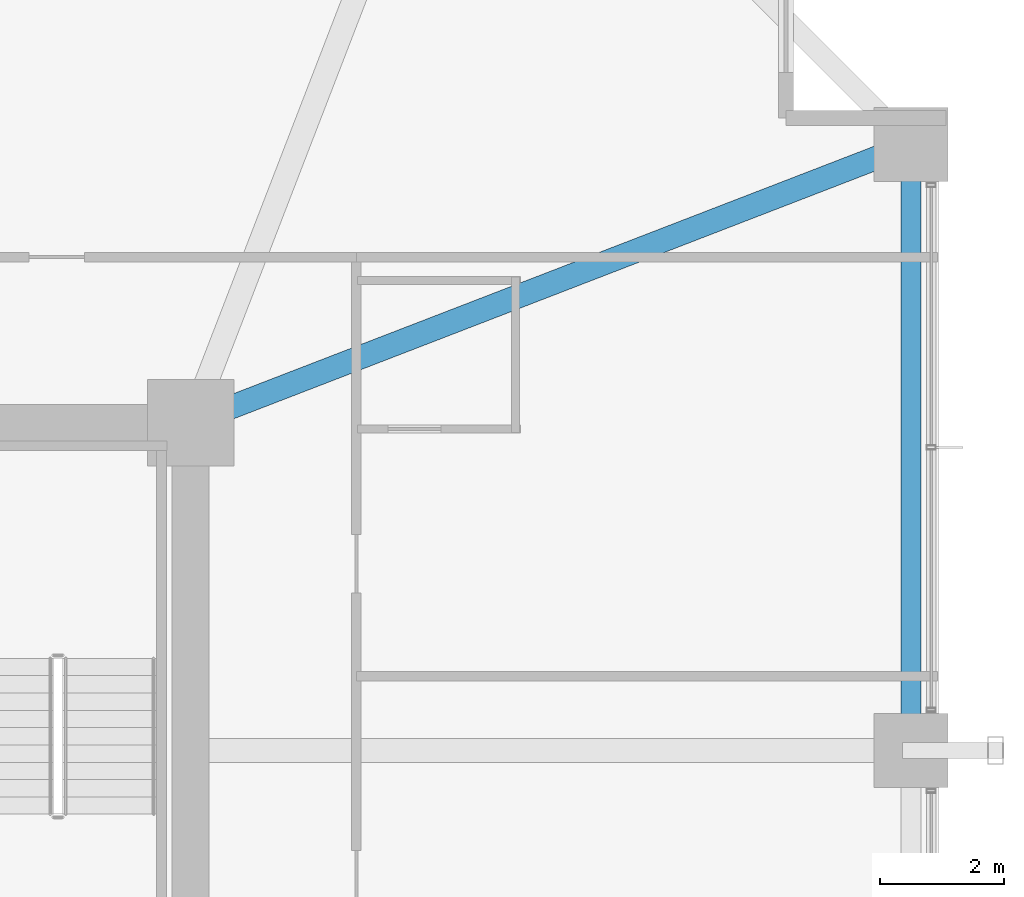
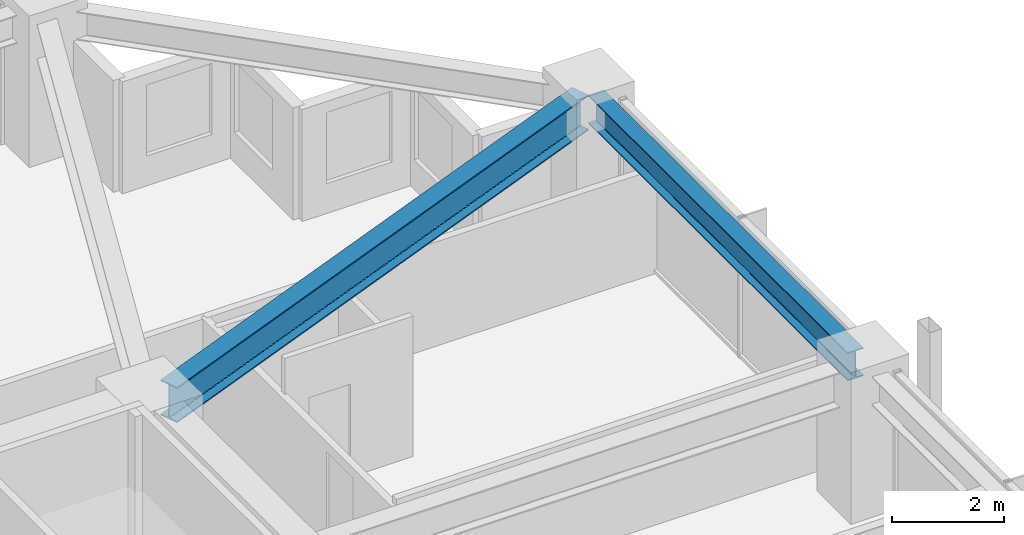
# One storey, part 22 of 38: 2 beams.
"""IFC4 building model written with IfcOpenShell, lengths in metres."""

from ifc_helpers import new_model, si_unit, direction, frame, origin, origin_2d, place, context, subcontext, project, spatial, i_section, extrude, material, material_profile, profile_set, type_object, element, save


model = new_model("IFC4")

# Units and contexts
model_context = context("Model", 3, precision=1e-05, world=origin(), true_north=direction((0.0, 1.0)))
body_context = subcontext(model_context, "Body", "Model", "MODEL_VIEW")
ifc_project = project(units=[si_unit("LENGTHUNIT", "METRE"), si_unit("AREAUNIT", "SQUARE_METRE"), si_unit("VOLUMEUNIT", "CUBIC_METRE"), si_unit("PLANEANGLEUNIT", "RADIAN"), si_unit("MASSUNIT", "GRAM", prefix="KILO")], contexts=[model_context])

# Site, building, storey
site_placement = place(None, origin())
site = spatial("IfcSite", under=ifc_project, at=site_placement, CompositionType="ELEMENT")
building_placement = place(site_placement, origin())
building = spatial("IfcBuilding", under=site, at=building_placement, Name="Kolvaren Belvedere", CompositionType="ELEMENT")
storey_placement = place(building_placement, frame((0.0, 0.0, 50.199951171875)))
storey = spatial("IfcBuildingStorey", under=building, at=storey_placement, Name="L14", CompositionType="ELEMENT", Elevation=50.199951171875)

# Beams
ifc_material_1 = material(Name="Structural steel ASTM A992 Grade 50", Category="steel")
ifc_material_profile_1 = material_profile(ifc_material_1, i_section(OverallWidth=0.381103515625, OverallDepth=0.77294921875, WebThickness=0.0166015625, FlangeThickness=0.027099609375, FilletRadius=0.02392578125, at=origin_2d()), Name="W30X173")
ifc_profile_set_1 = profile_set([ifc_material_profile_1], Name="Structural steel ASTM A992 Grade 50")
beam_type_1 = type_object("IfcBeamType", Name="BM-GIRD-W30X173", PredefinedType="BEAM", material=ifc_profile_set_1)
beam_1_placement = place(storey_placement, frame((10.4130859375, 10.09814453125, 2.673583984375), z_axis=(0.932829382313, 0.360318391835, 0.0), x_axis=(-0.360318391835, 0.932829382313, 0.0)))
element("IfcBeam", 1, at=beam_1_placement, inside=storey, type_object=beam_type_1, Name="L14 Corner Core-to-Perimeter Girder CC3-E4", PredefinedType="BEAM", context=body_context, shape_type="SweptSolid", body=[
    extrude(i_section(OverallWidth=0.381103515625, OverallDepth=0.77294921875, WebThickness=0.0166015625, FlangeThickness=0.027099609375, FilletRadius=0.02392578125, at=origin_2d()), origin(), (0.0, 0.0, 1.0), 11.698974609375),
])
ifc_material_2 = material(Name="Structural steel ASTM A992 Grade 50", Category="steel")
ifc_material_profile_2 = material_profile(ifc_material_2, i_section(OverallWidth=0.324951171875, OverallDepth=0.615966796875, WebThickness=0.013916015625, FlangeThickness=0.021484375, FilletRadius=0.02001953125, at=origin_2d()), Name="W24X117")
ifc_profile_set_2 = profile_set([ifc_material_profile_2], Name="Structural steel ASTM A992 Grade 50")
beam_type_2 = type_object("IfcBeamType", Name="BM-SPAN-W24X117", PredefinedType="SPANDREL", material=ifc_profile_set_2)
beam_2_placement = place(storey_placement, frame((21.550048828125, 4.8701171875, 2.751953125), z_axis=(0.0, 1.0, 0.0), x_axis=(-1.0, 0.0, 0.0)))
element("IfcBeam", 2, at=beam_2_placement, inside=storey, type_object=beam_type_2, Name="L14 Perimeter Spandrel E3-E4", PredefinedType="SPANDREL", context=body_context, shape_type="SweptSolid", body=[
    extrude(i_section(OverallWidth=0.324951171875, OverallDepth=0.615966796875, WebThickness=0.013916015625, FlangeThickness=0.021484375, FilletRadius=0.02001953125, at=origin_2d()), origin(), (0.0, 0.0, 1.0), 9.259765625),
])

save(model, "model.ifc")
